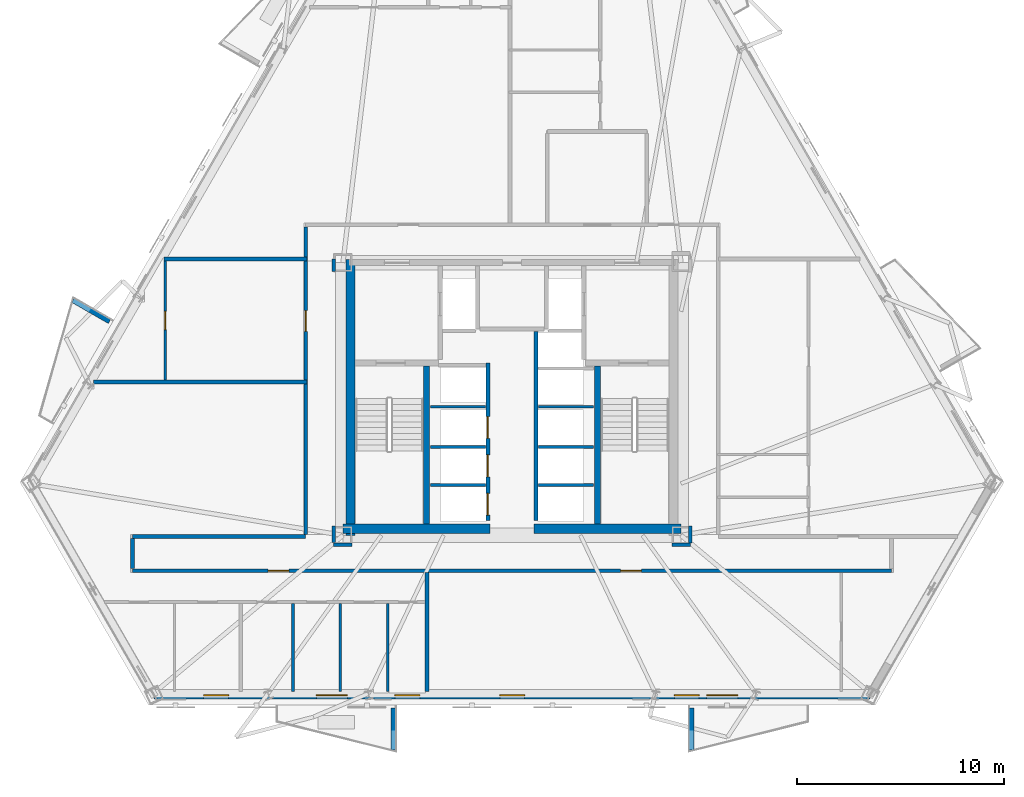
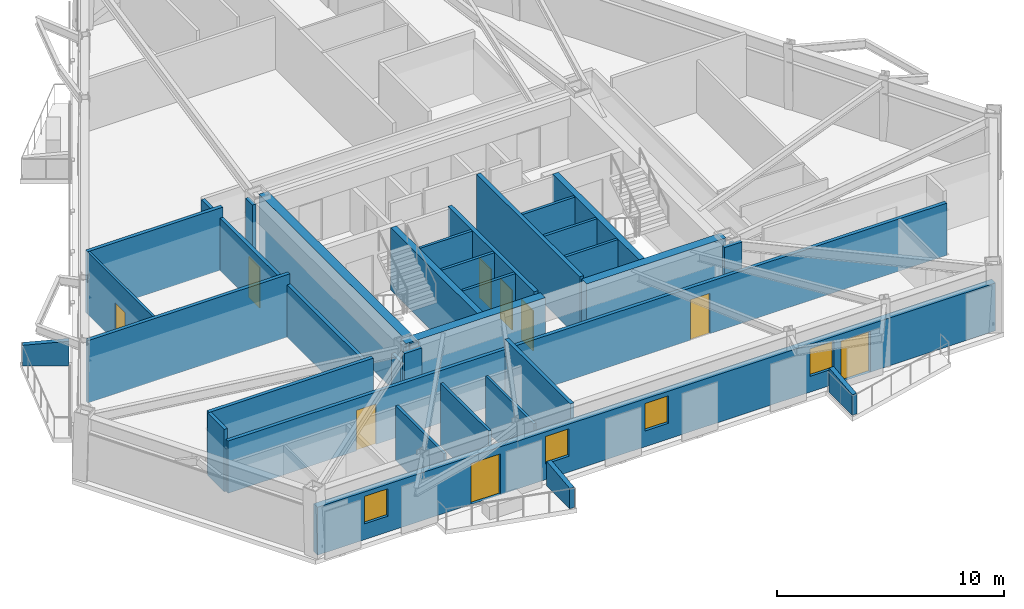
# One storey, part 3 of 10: 33 walls, 9 doors, 4 windows, 13 openings.
"""IFC4 building model written with IfcOpenShell, lengths in metres."""

import ifcopenshell
import ifcopenshell.guid

model = None  # the IFC model being written
_history = None  # IfcOwnerHistory: only IFC2X3 demands one
_inside = {}  # id of a spatial element -> (the spatial element, [elements in it])
_under = {}  # id of a project, library or spatial element -> (it, [spatial elements below it])
_declared = {}  # id of a project -> (the project, [libraries it declares])
_typed = {}  # id of a type object -> (the type object, [elements of that type])
_made_of = {}  # id of a material, layer set ... -> (it, [elements and type objects made of it])


def new_model(schema):
    """Start an empty IFC model of exactly this schema.

    Asked for "IFC4X3", IfcOpenShell would pick the latest addendum, in which some entities
    have other attributes; the version numbers below select the first issue.
    IFC2X3 requires an IfcOwnerHistory on every rooted entity: one is made here for all.
    """
    global model, _history
    if schema == "IFC4X3":
        model = ifcopenshell.file(schema_version=(4, 3, 0, 0))
    else:
        model = ifcopenshell.file(schema=schema)
    _inside.clear()
    _under.clear()
    _declared.clear()
    _typed.clear()
    _made_of.clear()
    _history = None
    if model.schema == "IFC2X3":
        org = make("IfcOrganization", Name="unknown")
        user = make(
            "IfcPersonAndOrganization",
            ThePerson=make("IfcPerson", FamilyName="unknown"),
            TheOrganization=org,
        )
        app = make(
            "IfcApplication",
            ApplicationDeveloper=org,
            Version="unknown",
            ApplicationFullName="unknown",
            ApplicationIdentifier="unknown",
        )
        _history = make(
            "IfcOwnerHistory",
            OwningUser=user,
            OwningApplication=app,
            ChangeAction="ADDED",
            CreationDate=0,
        )
    return model


def make(cls, **values):
    """One entity of the class cls with the attributes given. An attribute that is None is left unset."""
    return model.create_entity(
        cls, **{name: value for name, value in values.items() if value is not None}
    )


def rooted(cls, **values):
    """An entity with a GlobalId (a new one), such as an element, a storey or a relation."""
    return make(cls, GlobalId=ifcopenshell.guid.new(), OwnerHistory=_history, **values)


def si_unit(unit_type, name, prefix=None):
    """IfcSIUnit, for example si_unit("LENGTHUNIT", "METRE", prefix="MILLI")."""
    return make("IfcSIUnit", UnitType=unit_type, Prefix=prefix, Name=name)


def assignment(units):
    """IfcUnitAssignment: the units of a project."""
    return None if units is None else make("IfcUnitAssignment", Units=units)


def point(xyz):
    """IfcCartesianPoint."""
    return None if xyz is None else make("IfcCartesianPoint", Coordinates=xyz)


def direction(xyz):
    """IfcDirection."""
    return None if xyz is None else make("IfcDirection", DirectionRatios=xyz)


def frame(location, z_axis=None, x_axis=None):
    """IfcAxis2Placement3D, a coordinate frame: its origin and axes. An axis left out is left unset."""
    return make(
        "IfcAxis2Placement3D",
        Location=point(location),
        Axis=direction(z_axis),
        RefDirection=direction(x_axis),
    )


def frame_2d(location, x_axis=None):
    """IfcAxis2Placement2D, a coordinate frame in the plane: its origin and x axis."""
    return make(
        "IfcAxis2Placement2D", Location=point(location), RefDirection=direction(x_axis)
    )


def origin():
    """The frame at (0, 0, 0) with its axes left unset."""
    return frame((0.0, 0.0, 0.0))


def place(relative_to, where):
    """IfcLocalPlacement: puts the frame where relative to a parent placement (None: the world)."""
    return make(
        "IfcLocalPlacement", PlacementRelTo=relative_to, RelativePlacement=where
    )


def context(
    kind, dimensions, precision=None, world=None, true_north=None, identifier=None
):
    """IfcGeometricRepresentationContext, for example the 3D "Model" context."""
    return make(
        "IfcGeometricRepresentationContext",
        ContextIdentifier=identifier,
        ContextType=kind,
        CoordinateSpaceDimension=dimensions,
        Precision=precision,
        WorldCoordinateSystem=world,
        TrueNorth=true_north,
    )


def subcontext(parent, identifier, kind, view, scale=None):
    """IfcGeometricRepresentationSubContext, for example "Body" below "Model"."""
    return make(
        "IfcGeometricRepresentationSubContext",
        ContextIdentifier=identifier,
        ContextType=kind,
        ParentContext=parent,
        TargetScale=scale,
        TargetView=view,
    )


def project(units=None, contexts=None):
    """IfcProject with its units and contexts."""
    return rooted(
        "IfcProject",
        Name="project",
        RepresentationContexts=contexts,
        UnitsInContext=assignment(units),
    )


def spatial(cls, under=None, at=None, **own):
    """A site, building, storey or space (cls), placed at a placement, below another one or the project."""
    s = rooted(cls, ObjectPlacement=at, **own)
    if under is not None:
        _under.setdefault(under.id(), (under, []))[1].append(s)
    return s


def polyline(points):
    """IfcPolyline through the points."""
    return make("IfcPolyline", Points=[point(p) for p in points])


def profile(cls, at=None, kind="AREA", **sizes):
    """A parametric profile (cls). Its sizes go by their IFC names, for example OverallWidth=200.0."""
    return make(cls, ProfileType=kind, Position=at, **sizes)


def rectangle(**sizes):
    """IfcRectangleProfileDef."""
    return profile("IfcRectangleProfileDef", **sizes)


def outline(outer, holes=None, kind="AREA"):
    """IfcArbitraryClosedProfileDef: a profile drawn as a closed curve; with holes, ...WithVoids."""
    if holes is None:
        return make("IfcArbitraryClosedProfileDef", ProfileType=kind, OuterCurve=outer)
    return make(
        "IfcArbitraryProfileDefWithVoids",
        ProfileType=kind,
        OuterCurve=outer,
        InnerCurves=holes,
    )


def extrude(swept, where, along, depth):
    """IfcExtrudedAreaSolid: the profile swept, set in the frame where, extruded along a direction by depth."""
    return make(
        "IfcExtrudedAreaSolid",
        SweptArea=swept,
        Position=where,
        ExtrudedDirection=direction(along),
        Depth=depth,
    )


def shape(context_of_items, identifier, shape_type, items):
    """IfcShapeRepresentation: the items that make up one representation, for example the "Body"."""
    return make(
        "IfcShapeRepresentation",
        ContextOfItems=context_of_items,
        RepresentationIdentifier=identifier,
        RepresentationType=shape_type,
        Items=items,
    )


def material(Name=None, Category=None):
    """IfcMaterial."""
    return make("IfcMaterial", Name=Name, Category=Category)


def layer(
    of_material, thickness, ventilated=None, Name=None, Category=None, Priority=None
):
    """IfcMaterialLayer: one layer of a wall or slab, of a material (None: an air gap)."""
    return make(
        "IfcMaterialLayer",
        Material=of_material,
        LayerThickness=thickness,
        IsVentilated=ventilated,
        Name=Name,
        Category=Category,
        Priority=Priority,
    )


def layer_set(layers, Name=None):
    """IfcMaterialLayerSet."""
    return make("IfcMaterialLayerSet", MaterialLayers=layers, LayerSetName=Name)


def made_of(thing, what):
    """Note that an element or type object is made of a material, layer set ...; save() writes the relation."""
    if what is not None:
        _made_of.setdefault(what.id(), (what, []))[1].append(thing)
    return thing


def type_object(cls, material=None, **own):
    """A type object (cls), such as IfcWallType, which elements share."""
    return made_of(rooted(cls, **own), material)


def element(
    cls,
    number,
    at=None,
    inside=None,
    cuts=None,
    type_object=None,
    material=None,
    context=None,
    identifier="Body",
    shape_type=None,
    held_by="IfcProductDefinitionShape",
    body=None,
    shapes=None,
    **own,
):
    """One element of the class cls, such as IfcWall. Its Tag is "e" and its number.

    at: its placement. inside: the storey or other place that contains it. cuts: it is an
    opening in that element (IfcRelVoidsElement). A single representation is given by context,
    identifier, shape_type and body (its items); several are given by shapes. held_by: the class
    of the entity that holds the representations. save() writes the other relations.
    """
    e = rooted(cls, Tag="e%d" % number, ObjectPlacement=at, **own)
    if body is not None:
        shapes = [shape(context, identifier, shape_type, body)]
    if shapes is not None:
        e.Representation = make(held_by, Representations=shapes)
    if inside is not None:
        _inside.setdefault(inside.id(), (inside, []))[1].append(e)
    if cuts is not None:
        rooted(
            "IfcRelVoidsElement", RelatingBuildingElement=cuts, RelatedOpeningElement=e
        )
    if type_object is not None:
        _typed.setdefault(type_object.id(), (type_object, []))[1].append(e)
    return made_of(e, material)


def fill(opening, filler):
    """IfcRelFillsElement: the door or window that sits in an opening."""
    return rooted(
        "IfcRelFillsElement",
        RelatingOpeningElement=opening,
        RelatedBuildingElement=filler,
    )


def aggregate(whole, parts):
    """IfcRelAggregates: a whole, such as a stair, and the parts it consists of."""
    return rooted("IfcRelAggregates", RelatingObject=whole, RelatedObjects=parts)


def save(model, path):
    """Write the relations noted so far, then the file.

    IfcRelAggregates (storeys below a building ...), IfcRelContainedInSpatialStructure (elements
    in a storey), IfcRelDefinesByType, IfcRelAssociatesMaterial and IfcRelDeclares: one each for
    every whole, place, type object, material and project.
    """
    for whole, parts in _under.values():
        aggregate(whole, parts)
    for where, things in _inside.values():
        rooted(
            "IfcRelContainedInSpatialStructure",
            RelatedElements=things,
            RelatingStructure=where,
        )
    for kind, things in _typed.values():
        rooted("IfcRelDefinesByType", RelatedObjects=things, RelatingType=kind)
    for what, things in _made_of.values():
        rooted("IfcRelAssociatesMaterial", RelatedObjects=things, RelatingMaterial=what)
    for by, libraries in _declared.values():
        rooted("IfcRelDeclares", RelatingContext=by, RelatedDefinitions=libraries)
    model.write(path)


model = new_model("IFC4")

# Units and contexts
model_context = context("Model", 3, precision=1e-05, world=origin(), true_north=direction((0.0, 1.0)))
body_context = subcontext(model_context, "Body", "Model", "MODEL_VIEW")
ifc_project = project(units=[si_unit("LENGTHUNIT", "METRE"), si_unit("AREAUNIT", "SQUARE_METRE"), si_unit("VOLUMEUNIT", "CUBIC_METRE"), si_unit("PLANEANGLEUNIT", "RADIAN"), si_unit("MASSUNIT", "GRAM", prefix="KILO")], contexts=[model_context])

# Site, building, storey
site_placement = place(None, origin())
site = spatial("IfcSite", under=ifc_project, at=site_placement, CompositionType="ELEMENT")
building_placement = place(site_placement, origin())
building = spatial("IfcBuilding", under=site, at=building_placement, Name="Oramaril Tower", CompositionType="ELEMENT")
storey_placement = place(building_placement, frame((0.0, 0.0, 100.5)))
storey = spatial("IfcBuildingStorey", under=building, at=storey_placement, Name="L26", CompositionType="ELEMENT", Elevation=100.5)

# Wall, openings, doors, windows
ifc_material_1 = material(Name="Warm Cream Limestone", Category="masonry")
ifc_layer_1 = layer(ifc_material_1, 0.340087890625)
ifc_layer_set_1 = layer_set([ifc_layer_1], Name="WT-EXT34")
wall_type_1 = type_object("IfcWallType", Name="WT-EXT34", PredefinedType="SOLIDWALL", material=ifc_layer_set_1)
wall_1_placement = place(storey_placement, frame((20.24169921875, 3.286376953125, 0.0), z_axis=(0.0, 0.0, 1.0), x_axis=(1.0, 0.0, 0.0)))
wall_1 = element("IfcWall", 1, at=wall_1_placement, inside=storey, type_object=wall_type_1, Name="L26 Tower Limestone Facade Wall 2M", PredefinedType="SOLIDWALL", context=body_context, shape_type="SweptSolid", body=[
    extrude(rectangle(XDim=34.5166015625, YDim=0.340087890625, at=frame_2d((17.25830078125, 0.0))), origin(), (0.0, 0.0, 1.0), 2.577880859375),
])
opening_1_placement = place(wall_1_placement, frame((7.824462890625, 0.0, 0.0)))
opening_1 = element("IfcOpeningElement", 2, at=opening_1_placement, cuts=wall_1, Name="Opening D-L26-BAL-S1", PredefinedType="OPENING", context=body_context, shape_type="SweptSolid", body=[
    extrude(rectangle(XDim=1.5, YDim=2.199951171875, at=frame_2d((0.75, 1.10009765625))), frame((0.0, 0.169921875, 0.0), z_axis=(0.0, -1.0, 0.0), x_axis=(1.0, 0.0, 0.0)), (0.0, 0.0, 1.0), 0.340087890625),
])
opening_2_placement = place(wall_1_placement, frame((26.647216796875, 0.0, 0.0)))
opening_2 = element("IfcOpeningElement", 3, at=opening_2_placement, cuts=wall_1, Name="Opening D-L26-BAL-S2", PredefinedType="OPENING", context=body_context, shape_type="SweptSolid", body=[
    extrude(rectangle(XDim=1.5, YDim=2.199951171875, at=frame_2d((0.75, 1.10009765625))), frame((0.0, 0.169921875, 0.0), z_axis=(0.0, -1.0, 0.0), x_axis=(1.0, 0.0, 0.0)), (0.0, 0.0, 1.0), 0.340087890625),
])
opening_3_placement = place(wall_1_placement, frame((16.67138671875, 0.0, 0.85009765625)))
opening_3 = element("IfcOpeningElement", 4, at=opening_3_placement, cuts=wall_1, Name="Opening WN-09", PredefinedType="OPENING", context=body_context, shape_type="SweptSolid", body=[
    extrude(rectangle(XDim=1.199951171875, YDim=1.47998046875, at=frame_2d((0.60009765625, 0.739990234375))), frame((0.0, 0.169921875, 0.0), z_axis=(0.0, -1.0, 0.0), x_axis=(1.0, 0.0, 0.0)), (0.0, 0.0, 1.0), 0.340087890625),
])
opening_4_placement = place(wall_1_placement, frame((25.08251953125, 0.0, 0.85009765625)))
opening_4 = element("IfcOpeningElement", 5, at=opening_4_placement, cuts=wall_1, Name="Opening WN-09", PredefinedType="OPENING", context=body_context, shape_type="SweptSolid", body=[
    extrude(rectangle(XDim=1.199951171875, YDim=1.47998046875, at=frame_2d((0.60009765625, 0.739990234375))), frame((0.0, 0.169921875, 0.0), z_axis=(0.0, -1.0, 0.0), x_axis=(1.0, 0.0, 0.0)), (0.0, 0.0, 1.0), 0.340087890625),
])
opening_5_placement = place(wall_1_placement, frame((2.39013671875, 0.0, 0.85009765625)))
opening_5 = element("IfcOpeningElement", 6, at=opening_5_placement, cuts=wall_1, Name="Opening WN-09", PredefinedType="OPENING", context=body_context, shape_type="SweptSolid", body=[
    extrude(rectangle(XDim=1.199951171875, YDim=1.47998046875, at=frame_2d((0.60009765625, 0.739990234375))), frame((0.0, 0.169921875, 0.0), z_axis=(0.0, -1.0, 0.0), x_axis=(1.0, 0.0, 0.0)), (0.0, 0.0, 1.0), 0.340087890625),
])
opening_6_placement = place(wall_1_placement, frame((11.61328125, 0.0, 0.85009765625)))
opening_6 = element("IfcOpeningElement", 7, at=opening_6_placement, cuts=wall_1, Name="Opening WN-09", PredefinedType="OPENING", context=body_context, shape_type="SweptSolid", body=[
    extrude(rectangle(XDim=1.199951171875, YDim=1.47998046875, at=frame_2d((0.60009765625, 0.739990234375))), frame((0.0, 0.169921875, 0.0), z_axis=(0.0, -1.0, 0.0), x_axis=(1.0, 0.0, 0.0)), (0.0, 0.0, 1.0), 0.340087890625),
])
ifc_material_2 = material(Name="Anodised Aluminium 6063-T6", Category="aluminium")
door_type_1 = type_object("IfcDoorType", Name="DT-BAL", OperationType="NOTDEFINED", PredefinedType="DOOR", material=ifc_material_2)
door_1_placement = place(opening_1_placement, origin())
door_1 = element("IfcDoor", 8, at=door_1_placement, inside=storey, type_object=door_type_1, Name="L26 Balcony Glazed Door L26-BAL-S1", OperationType="SINGLE_SWING_LEFT", OverallHeight=2.199951171875, OverallWidth=1.5, PredefinedType="DOOR", context=body_context, shape_type="SweptSolid", body=[
    extrude(rectangle(XDim=1.5, YDim=2.199951171875, at=frame_2d((0.75, 1.10009765625))), frame((0.0, 0.02490234375, 0.0), z_axis=(0.0, -1.0, 0.0), x_axis=(1.0, 0.0, 0.0)), (0.0, 0.0, 1.0), 0.050048828125),
])
fill(opening_1, door_1)
door_2_placement = place(opening_2_placement, origin())
door_2 = element("IfcDoor", 9, at=door_2_placement, inside=storey, type_object=door_type_1, Name="L26 Balcony Glazed Door L26-BAL-S2", OperationType="SINGLE_SWING_RIGHT", OverallHeight=2.199951171875, OverallWidth=1.5, PredefinedType="DOOR", context=body_context, shape_type="SweptSolid", body=[
    extrude(rectangle(XDim=1.5, YDim=2.199951171875, at=frame_2d((0.75, 1.10009765625))), frame((0.0, 0.02490234375, 0.0), z_axis=(0.0, -1.0, 0.0), x_axis=(1.0, 0.0, 0.0)), (0.0, 0.0, 1.0), 0.050048828125),
])
fill(opening_2, door_2)
ifc_material_3 = material(Name="Coastal Low-E Insulated Glass", Category="glass")
window_type = type_object("IfcWindowType", Name="WNT-09", PartitioningType="SINGLE_PANEL", PredefinedType="WINDOW", material=ifc_material_3)
window_1_placement = place(opening_3_placement, origin())
window_1 = element("IfcWindow", 10, at=window_1_placement, inside=storey, type_object=window_type, Name="L26 Chicago Bay Window WN-09", OverallHeight=1.47998046875, OverallWidth=1.199951171875, PartitioningType="SINGLE_PANEL", PredefinedType="WINDOW", context=body_context, shape_type="SweptSolid", body=[
    extrude(rectangle(XDim=1.199951171875, YDim=1.47998046875, at=frame_2d((0.60009765625, 0.739990234375))), frame((0.0, 0.030029296875, 0.0), z_axis=(0.0, -1.0, 0.0), x_axis=(1.0, 0.0, 0.0)), (0.0, 0.0, 1.0), 0.06005859375),
])
fill(opening_3, window_1)
window_2_placement = place(opening_4_placement, origin())
window_2 = element("IfcWindow", 11, at=window_2_placement, inside=storey, type_object=window_type, Name="L26 Chicago Bay Window WN-09", OverallHeight=1.47998046875, OverallWidth=1.199951171875, PartitioningType="SINGLE_PANEL", PredefinedType="WINDOW", context=body_context, shape_type="SweptSolid", body=[
    extrude(rectangle(XDim=1.199951171875, YDim=1.47998046875, at=frame_2d((0.60009765625, 0.739990234375))), frame((0.0, 0.030029296875, 0.0), z_axis=(0.0, -1.0, 0.0), x_axis=(1.0, 0.0, 0.0)), (0.0, 0.0, 1.0), 0.06005859375),
])
fill(opening_4, window_2)
window_3_placement = place(opening_5_placement, origin())
window_3 = element("IfcWindow", 12, at=window_3_placement, inside=storey, type_object=window_type, Name="L26 Chicago Bay Window WN-09", OverallHeight=1.47998046875, OverallWidth=1.199951171875, PartitioningType="SINGLE_PANEL", PredefinedType="WINDOW", context=body_context, shape_type="SweptSolid", body=[
    extrude(rectangle(XDim=1.199951171875, YDim=1.47998046875, at=frame_2d((0.60009765625, 0.739990234375))), frame((0.0, 0.030029296875, 0.0), z_axis=(0.0, -1.0, 0.0), x_axis=(1.0, 0.0, 0.0)), (0.0, 0.0, 1.0), 0.06005859375),
])
fill(opening_5, window_3)
window_4_placement = place(opening_6_placement, origin())
window_4 = element("IfcWindow", 13, at=window_4_placement, inside=storey, type_object=window_type, Name="L26 Chicago Bay Window WN-09", OverallHeight=1.47998046875, OverallWidth=1.199951171875, PartitioningType="SINGLE_PANEL", PredefinedType="WINDOW", context=body_context, shape_type="SweptSolid", body=[
    extrude(rectangle(XDim=1.199951171875, YDim=1.47998046875, at=frame_2d((0.60009765625, 0.739990234375))), frame((0.0, 0.030029296875, 0.0), z_axis=(0.0, -1.0, 0.0), x_axis=(1.0, 0.0, 0.0)), (0.0, 0.0, 1.0), 0.06005859375),
])
fill(opening_6, window_4)

# Walls
ifc_material_4 = material(Name="Concrete C40/50", Category="concrete")
ifc_layer_2 = layer(ifc_material_4, 0.22998046875)
ifc_layer_set_2 = layer_set([ifc_layer_2], Name="WT-PRP23")
wall_type_2 = type_object("IfcWallType", Name="WT-PRP23", PredefinedType="PARAPET", material=ifc_layer_set_2)
for number, where, z_axis, x_axis, name in (
    (14, (31.77099609375, 2.688232421875, 0.0), (0.0, 0.0, 1.0), (0.0, -1.0, 0.0), "L26 Trapezoidal Balcony Frame Cheek L26-BAL-S1-R"),
    (15, (46.15380859375, 2.688232421875, 0.0), (0.0, 0.0, 1.0), (0.0, -1.0, 0.0), "L26 Trapezoidal Balcony Frame Cheek L26-BAL-S2-L"),
    (16, (18.093994140625, 21.311279296875, 0.0), (0.0, 0.0, 1.0), (-0.866012356593, 0.500022597718, 0.0), "L26 Trapezoidal Balcony Frame Cheek L26-BAL-NW2-L"),
):
    element("IfcWall", number, at=place(storey_placement, frame(where, z_axis=z_axis, x_axis=x_axis)), inside=storey, type_object=wall_type_2, Name=name, PredefinedType="PARAPET", context=body_context, shape_type="SweptSolid", body=[
        extrude(outline(polyline([(0.0, 0.0), (2.0419921875, 0.0), (2.0419921875, 1.10009765625), (0.0, 1.320068359375), (0.0, 0.0)])), frame((0.0, 0.114990234375, 0.0), z_axis=(0.0, -1.0, 0.0), x_axis=(1.0, 0.0, 0.0)), (0.0, 0.0, 1.0), 0.22998046875),
    ])

# Wall, opening, door
ifc_material_5 = material(Name="Acoustic Gypsum Board Partition")
ifc_layer_3 = layer(ifc_material_5, 0.1201171875)
ifc_layer_set_3 = layer_set([ifc_layer_3], Name="WT-PT12")
wall_type_3 = type_object("IfcWallType", Name="WT-PT12", PredefinedType="PARTITIONING", material=ifc_layer_set_3)
wall_2_placement = place(storey_placement, frame((20.780029296875, 18.493896484375, 0.0), z_axis=(0.0, 0.0, 1.0), x_axis=(0.0, 1.0, 0.0)))
wall_2 = element("IfcWall", 17, at=wall_2_placement, inside=storey, type_object=wall_type_3, Name="L26 Interior Partition PT-12", PredefinedType="PARTITIONING", context=body_context, shape_type="SweptSolid", body=[
    extrude(rectangle(XDim=5.732177734375, YDim=0.1201171875, at=frame_2d((2.8662109375, 0.0))), origin(), (0.0, 0.0, 1.0), 3.360107421875),
])
opening_7_placement = place(wall_2_placement, frame((2.426025390625, 0.0, 0.0)))
opening_7 = element("IfcOpeningElement", 18, at=opening_7_placement, cuts=wall_2, Name="Opening D-L26-16", PredefinedType="OPENING", context=body_context, shape_type="SweptSolid", body=[
    extrude(rectangle(XDim=0.8798828125, YDim=2.080078125, at=frame_2d((0.43994140625, 1.0400390625))), frame((0.0, 0.06005859375, 0.0), z_axis=(0.0, -1.0, 0.0), x_axis=(1.0, 0.0, 0.0)), (0.0, 0.0, 1.0), 0.1201171875),
])
ifc_material_6 = material(Name="FSC Brazilian Freijo Hardwood", Category="wood")
door_type_2 = type_object("IfcDoorType", Name="DT-BATH", OperationType="NOTDEFINED", PredefinedType="DOOR", material=ifc_material_6)
door_3_placement = place(opening_7_placement, origin())
door_3 = element("IfcDoor", 19, at=door_3_placement, inside=storey, type_object=door_type_2, Name="L26 Flat L26-U3 Bathroom Door D-L26-16", OperationType="SINGLE_SWING_RIGHT", OverallHeight=2.080078125, OverallWidth=0.8798828125, PredefinedType="DOOR", context=body_context, shape_type="SweptSolid", body=[
    extrude(rectangle(XDim=0.8798828125, YDim=2.080078125, at=frame_2d((0.43994140625, 1.0400390625))), frame((0.0, 0.02490234375, 0.0), z_axis=(0.0, -1.0, 0.0), x_axis=(1.0, 0.0, 0.0)), (0.0, 0.0, 1.0), 0.050048828125),
])
fill(opening_7, door_3)

# Walls
wall_3_placement = place(storey_placement, frame((31.510009765625, 3.460205078125, 0.0), z_axis=(0.0, 0.0, 1.0), x_axis=(0.0, 1.0, 0.0)))
element("IfcWall", 20, at=wall_3_placement, inside=storey, type_object=wall_type_3, Name="L26 Interior Partition PT-12", PredefinedType="PARTITIONING", context=body_context, shape_type="SweptSolid", body=[
    extrude(rectangle(XDim=4.245849609375, YDim=0.1201171875, at=frame_2d((2.123046875, 0.0))), origin(), (0.0, 0.0, 1.0), 2.946044921875),
])
ifc_material_7 = material(Name="Acoustic Gypsum Board Partition")
ifc_layer_4 = layer(ifc_material_7, 0.139892578125)
ifc_layer_set_4 = layer_set([ifc_layer_4], Name="WT-PT14")
wall_type_4 = type_object("IfcWallType", Name="WT-PT14", PredefinedType="PARTITIONING", material=ifc_layer_set_4)
for number, where, z_axis, x_axis, name in (
    (21, (33.56005859375, 13.419921875, 0.0), (0.0, 0.0, 1.0), (1.0, 0.0, 0.0), "L26 West Lift Divider"),
    (22, (33.56005859375, 15.27001953125, 0.0), (0.0, 0.0, 1.0), (1.0, 0.0, 0.0), "L26 West Lift Divider"),
    (23, (33.56005859375, 17.199951171875, 0.0), (0.0, 0.0, 1.0), (1.0, 0.0, 0.0), "L26 West Lift Divider"),
    (24, (38.780029296875, 13.419921875, 0.0), (0.0, 0.0, 1.0), (1.0, 0.0, 0.0), "L26 East Lift Divider"),
    (25, (38.780029296875, 15.27001953125, 0.0), (0.0, 0.0, 1.0), (1.0, 0.0, 0.0), "L26 East Lift Divider"),
    (26, (38.780029296875, 17.199951171875, 0.0), (0.0, 0.0, 1.0), (1.0, 0.0, 0.0), "L26 East Lift Divider"),
):
    element("IfcWall", number, at=place(storey_placement, frame(where, z_axis=z_axis, x_axis=x_axis)), inside=storey, type_object=wall_type_4, Name=name, PredefinedType="PARTITIONING", context=body_context, shape_type="SweptSolid", body=[
        extrude(rectangle(XDim=2.659912109375, YDim=0.139892578125, at=frame_2d((1.330078125, 0.0))), origin(), (0.0, 0.0, 1.0), 3.360107421875),
    ])
wall_4_placement = place(storey_placement, frame((26.93994140625, 3.460205078125, 0.0), z_axis=(0.0, 0.0, 1.0), x_axis=(0.0, 1.0, 0.0)))
element("IfcWall", 27, at=wall_4_placement, inside=storey, type_object=wall_type_4, Name="L26 Interior Partition PT-14", PredefinedType="PARTITIONING", context=body_context, shape_type="SweptSolid", body=[
    extrude(rectangle(XDim=4.245849609375, YDim=0.139892578125, at=frame_2d((2.123046875, 0.0))), origin(), (0.0, 0.0, 1.0), 2.946044921875),
])
wall_5_placement = place(storey_placement, frame((29.219970703125, 3.460205078125, 0.0), z_axis=(0.0, 0.0, 1.0), x_axis=(0.0, 1.0, 0.0)))
element("IfcWall", 28, at=wall_5_placement, inside=storey, type_object=wall_type_4, Name="L26 Interior Partition PT-14", PredefinedType="PARTITIONING", context=body_context, shape_type="SweptSolid", body=[
    extrude(rectangle(XDim=4.245849609375, YDim=0.139892578125, at=frame_2d((2.123046875, 0.0))), origin(), (0.0, 0.0, 1.0), 3.360107421875),
])

# Wall, openings, doors
ifc_material_8 = material(Name="Autoclaved Cellular Concrete Block", Category="concrete")
ifc_layer_5 = layer(ifc_material_8, 0.179931640625)
ifc_layer_set_5 = layer_set([ifc_layer_5], Name="WT-PT18")
wall_type_5 = type_object("IfcWallType", Name="WT-PT18", PredefinedType="PARTITIONING", material=ifc_layer_set_5)
wall_6_placement = place(storey_placement, frame((19.199951171875, 9.300048828125, 0.0), z_axis=(0.0, 0.0, 1.0), x_axis=(1.0, 0.0, 0.0)))
wall_6 = element("IfcWall", 29, at=wall_6_placement, inside=storey, type_object=wall_type_5, Name="L26 Interior Partition PT-18", PredefinedType="PARTITIONING", context=body_context, shape_type="SweptSolid", body=[
    extrude(rectangle(XDim=36.60009765625, YDim=0.179931640625, at=frame_2d((18.300048828125, 0.0))), origin(), (0.0, 0.0, 1.0), 2.81396484375),
])
opening_8_placement = place(wall_6_placement, frame((6.54638671875, 0.0, 0.0)))
opening_8 = element("IfcOpeningElement", 30, at=opening_8_placement, cuts=wall_6, Name="Opening D-L26-07", PredefinedType="OPENING", context=body_context, shape_type="SweptSolid", body=[
    extrude(rectangle(XDim=1.0, YDim=2.179931640625, at=frame_2d((0.5, 1.08984375))), frame((0.0, 0.08984375, 0.0), z_axis=(0.0, -1.0, 0.0), x_axis=(1.0, 0.0, 0.0)), (0.0, 0.0, 1.0), 0.179931640625),
])
opening_9_placement = place(wall_6_placement, frame((23.538818359375, 0.0, 0.0)))
opening_9 = element("IfcOpeningElement", 31, at=opening_9_placement, cuts=wall_6, Name="Opening D-L26-08", PredefinedType="OPENING", context=body_context, shape_type="SweptSolid", body=[
    extrude(rectangle(XDim=1.0, YDim=2.179931640625, at=frame_2d((0.5, 1.08984375))), frame((0.0, 0.08984375, 0.0), z_axis=(0.0, -1.0, 0.0), x_axis=(1.0, 0.0, 0.0)), (0.0, 0.0, 1.0), 0.179931640625),
])
ifc_material_9 = material(Name="FSC Brazilian Freijo Hardwood", Category="wood")
door_type_3 = type_object("IfcDoorType", Name="DT-APT", OperationType="NOTDEFINED", PredefinedType="DOOR", material=ifc_material_9)
door_4_placement = place(opening_8_placement, origin())
door_4 = element("IfcDoor", 32, at=door_4_placement, inside=storey, type_object=door_type_3, Name="L26 Flat L26-U2 Penthouse 2-Bedroom Living and Dining Room Door D-L26-07", OperationType="SINGLE_SWING_LEFT", OverallHeight=2.179931640625, OverallWidth=1.0, PredefinedType="DOOR", context=body_context, shape_type="SweptSolid", body=[
    extrude(rectangle(XDim=1.0, YDim=2.179931640625, at=frame_2d((0.5, 1.08984375))), frame((0.0, 0.02490234375, 0.0), z_axis=(0.0, -1.0, 0.0), x_axis=(1.0, 0.0, 0.0)), (0.0, 0.0, 1.0), 0.050048828125),
])
fill(opening_8, door_4)
door_5_placement = place(opening_9_placement, origin())
door_5 = element("IfcDoor", 33, at=door_5_placement, inside=storey, type_object=door_type_3, Name="L26 Flat L26-U1 Kitchen and Studio Apartment Door D-L26-08", OperationType="SINGLE_SWING_RIGHT", OverallHeight=2.179931640625, OverallWidth=1.0, PredefinedType="DOOR", context=body_context, shape_type="SweptSolid", body=[
    extrude(rectangle(XDim=1.0, YDim=2.179931640625, at=frame_2d((0.5, 1.08984375))), frame((0.0, 0.02490234375, 0.0), z_axis=(0.0, -1.0, 0.0), x_axis=(1.0, 0.0, 0.0)), (0.0, 0.0, 1.0), 0.050048828125),
])
fill(opening_9, door_5)

# Walls
for number, where, z_axis, x_axis, name in (
    (34, (28.905029296875, 10.550048828125, 0.0), (0.0, 0.0, 1.0), (1.0, 0.0, 0.0), "L26 Interior Partition PT-18"),
    (35, (45.205078125, 10.550048828125, 0.0), (0.0, 0.0, 1.0), (1.0, 0.0, 0.0), "L26 Interior Partition PT-18"),
):
    element("IfcWall", number, at=place(storey_placement, frame(where, z_axis=z_axis, x_axis=x_axis)), inside=storey, type_object=wall_type_5, Name=name, PredefinedType="PARTITIONING", context=body_context, shape_type="SweptSolid", body=[
        extrude(rectangle(XDim=0.889892578125, YDim=0.179931640625, at=frame_2d((0.44482421875, 0.0))), origin(), (0.0, 0.0, 1.0), 3.360107421875),
    ])
wall_7_placement = place(storey_placement, frame((19.199951171875, 10.949951171875, 0.0), z_axis=(0.0, 0.0, 1.0), x_axis=(1.0, 0.0, 0.0)))
element("IfcWall", 36, at=wall_7_placement, inside=storey, type_object=wall_type_5, Name="L26 Interior Partition PT-18", PredefinedType="PARTITIONING", context=body_context, shape_type="SweptSolid", body=[
    extrude(rectangle(XDim=8.35009765625, YDim=0.179931640625, at=frame_2d((4.175048828125, 0.0))), origin(), (0.0, 0.0, 1.0), 3.360107421875),
])
wall_8_placement = place(storey_placement, frame((17.320068359375, 18.39990234375, 0.0), z_axis=(0.0, 0.0, 1.0), x_axis=(1.0, 0.0, 0.0)))
element("IfcWall", 37, at=wall_8_placement, inside=storey, type_object=wall_type_5, Name="L26 Interior Partition PT-18", PredefinedType="PARTITIONING", context=body_context, shape_type="SweptSolid", body=[
    extrude(rectangle(XDim=10.2900390625, YDim=0.179931640625, at=frame_2d((5.14501953125, 0.0))), origin(), (0.0, 0.0, 1.0), 3.360107421875),
])
wall_9_placement = place(storey_placement, frame((20.72265625, 24.320068359375, 0.0), z_axis=(0.0, 0.0, 1.0), x_axis=(1.0, 0.0, 0.0)))
element("IfcWall", 38, at=wall_9_placement, inside=storey, type_object=wall_type_5, Name="L26 Interior Partition PT-18", PredefinedType="PARTITIONING", context=body_context, shape_type="SweptSolid", body=[
    extrude(rectangle(XDim=6.887451171875, YDim=0.179931640625, at=frame_2d((3.44384765625, 0.0))), origin(), (0.0, 0.0, 1.0), 3.360107421875),
])
wall_10_placement = place(storey_placement, frame((19.199951171875, 9.39404296875, 0.0), z_axis=(0.0, 0.0, 1.0), x_axis=(0.0, 1.0, 0.0)))
element("IfcWall", 39, at=wall_10_placement, inside=storey, type_object=wall_type_5, Name="L26 Interior Partition PT-18", PredefinedType="PARTITIONING", context=body_context, shape_type="SweptSolid", body=[
    extrude(rectangle(XDim=1.4619140625, YDim=0.179931640625, at=frame_2d((0.73095703125, 0.0))), origin(), (0.0, 0.0, 1.0), 3.360107421875),
])

# Wall, opening, door
wall_11_placement = place(storey_placement, frame((27.550048828125, 11.0439453125, 0.0), z_axis=(0.0, 0.0, 1.0), x_axis=(0.0, 1.0, 0.0)))
wall_11 = element("IfcWall", 40, at=wall_11_placement, inside=storey, type_object=wall_type_5, Name="L26 Interior Partition PT-18", PredefinedType="PARTITIONING", context=body_context, shape_type="SweptSolid", body=[
    extrude(rectangle(XDim=14.83203125, YDim=0.179931640625, at=frame_2d((7.416015625, 0.0))), origin(), (0.0, 0.0, 1.0), 2.81396484375),
])
opening_10_placement = place(wall_11_placement, frame((9.794921875, 0.0, 0.0)))
opening_10 = element("IfcOpeningElement", 41, at=opening_10_placement, cuts=wall_11, Name="Opening D-L26-17", PredefinedType="OPENING", context=body_context, shape_type="SweptSolid", body=[
    extrude(rectangle(XDim=1.0, YDim=2.179931640625, at=frame_2d((0.5, 1.08984375))), frame((0.0, 0.08984375, 0.0), z_axis=(0.0, -1.0, 0.0), x_axis=(1.0, 0.0, 0.0)), (0.0, 0.0, 1.0), 0.179931640625),
])
door_6_placement = place(opening_10_placement, origin())
door_6 = element("IfcDoor", 42, at=door_6_placement, inside=storey, type_object=door_type_3, Name="L26 Flat L26-U3 Kitchen and Studio Apartment Door D-L26-17", OperationType="SINGLE_SWING_LEFT", OverallHeight=2.179931640625, OverallWidth=1.0, PredefinedType="DOOR", context=body_context, shape_type="SweptSolid", body=[
    extrude(rectangle(XDim=1.0, YDim=2.179931640625, at=frame_2d((0.5, 1.08984375))), frame((0.0, 0.02490234375, 0.0), z_axis=(0.0, -1.0, 0.0), x_axis=(1.0, 0.0, 0.0)), (0.0, 0.0, 1.0), 0.050048828125),
])
fill(opening_10, door_6)

# Walls
wall_12_placement = place(storey_placement, frame((28.909912109375, 10.64404296875, 0.0), z_axis=(0.0, 0.0, 1.0), x_axis=(0.0, 1.0, 0.0)))
element("IfcWall", 43, at=wall_12_placement, inside=storey, type_object=wall_type_5, Name="L26 Interior Partition PT-18", PredefinedType="PARTITIONING", context=body_context, shape_type="SweptSolid", body=[
    extrude(rectangle(XDim=0.7958984375, YDim=0.179931640625, at=frame_2d((0.39794921875, 0.0))), origin(), (0.0, 0.0, 1.0), 2.81396484375),
])
wall_13_placement = place(storey_placement, frame((28.909912109375, 23.7099609375, 0.0), z_axis=(0.0, 0.0, 1.0), x_axis=(0.0, 1.0, 0.0)))
element("IfcWall", 44, at=wall_13_placement, inside=storey, type_object=wall_type_5, Name="L26 Interior Partition PT-18", PredefinedType="PARTITIONING", context=body_context, shape_type="SweptSolid", body=[
    extrude(rectangle(XDim=0.610107421875, YDim=0.179931640625, at=frame_2d((0.30517578125, 0.0))), origin(), (0.0, 0.0, 1.0), 3.360107421875),
])
wall_14_placement = place(storey_placement, frame((33.39990234375, 3.460205078125, 0.0), z_axis=(0.0, 0.0, 1.0), x_axis=(0.0, 1.0, 0.0)))
element("IfcWall", 45, at=wall_14_placement, inside=storey, type_object=wall_type_5, Name="L26 Interior Partition PT-18", PredefinedType="PARTITIONING", context=body_context, shape_type="SweptSolid", body=[
    extrude(rectangle(XDim=5.745849609375, YDim=0.179931640625, at=frame_2d((2.873046875, 0.0))), origin(), (0.0, 0.0, 1.0), 3.360107421875),
])
wall_15_placement = place(storey_placement, frame((46.090087890625, 10.64404296875, 0.0), z_axis=(0.0, 0.0, 1.0), x_axis=(0.0, 1.0, 0.0)))
element("IfcWall", 46, at=wall_15_placement, inside=storey, type_object=wall_type_5, Name="L26 Interior Partition PT-18", PredefinedType="PARTITIONING", context=body_context, shape_type="SweptSolid", body=[
    extrude(rectangle(XDim=0.801025390625, YDim=0.179931640625, at=frame_2d((0.400390625, 0.0))), origin(), (0.0, 0.0, 1.0), 2.81396484375),
])
ifc_material_10 = material(Name="Concrete C50/60", Category="concrete")
ifc_layer_6 = layer(ifc_material_10, 0.300048828125)
ifc_layer_set_6 = layer_set([ifc_layer_6], Name="WT-SH30")
wall_type_6 = type_object("IfcWallType", Name="WT-SH30", PredefinedType="SHEAR", material=ifc_layer_set_6)
for number, where, z_axis, x_axis, name in (
    (47, (33.3798828125, 11.5400390625, 0.0), (0.0, 0.0, 1.0), (0.0, 1.0, 0.0), "L26 Core Shear Wall CW-ST1E"),
    (48, (41.6201171875, 11.5400390625, 0.0), (0.0, 0.0, 1.0), (0.0, 1.0, 0.0), "L26 Core Shear Wall CW-ST2W"),
):
    element("IfcWall", number, at=place(storey_placement, frame(where, z_axis=z_axis, x_axis=x_axis)), inside=storey, type_object=wall_type_6, Name=name, PredefinedType="SHEAR", context=body_context, shape_type="SweptSolid", body=[
        extrude(rectangle(XDim=7.619873046875, YDim=0.300048828125, at=frame_2d((3.81005859375, 0.0))), origin(), (0.0, 0.0, 1.0), 3.360107421875),
    ])
ifc_material_11 = material(Name="Concrete C50/60", Category="concrete")
ifc_layer_7 = layer(ifc_material_11, 0.449951171875)
ifc_layer_set_7 = layer_set([ifc_layer_7], Name="WT-SH45")
wall_type_7 = type_object("IfcWallType", Name="WT-SH45", PredefinedType="SHEAR", material=ifc_layer_set_7)
wall_16_placement = place(storey_placement, frame((29.715087890625, 11.0, 0.0), z_axis=(0.0, 0.0, 1.0), x_axis=(0.0, 1.0, 0.0)))
element("IfcWall", 49, at=wall_16_placement, inside=storey, type_object=wall_type_7, Name="L26 Core Shear Wall CW-W", PredefinedType="SHEAR", context=body_context, shape_type="SweptSolid", body=[
    extrude(rectangle(XDim=13.300048828125, YDim=0.449951171875, at=frame_2d((6.64990234375, 0.0))), origin(), (0.0, 0.0, 1.0), 3.360107421875),
])
for number, where, z_axis, x_axis, name in (
    (50, (29.35009765625, 11.31494140625, 0.0), (0.0, 0.0, 1.0), (1.0, 0.0, 0.0), "L26 Core Shear Wall CW-SW"),
    (51, (38.550048828125, 11.31494140625, 0.0), (0.0, 0.0, 1.0), (1.0, 0.0, 0.0), "L26 Core Shear Wall CW-SE"),
):
    element("IfcWall", number, at=place(storey_placement, frame(where, z_axis=z_axis, x_axis=x_axis)), inside=storey, type_object=wall_type_7, Name=name, PredefinedType="SHEAR", context=body_context, shape_type="SweptSolid", body=[
        extrude(rectangle(XDim=7.099853515625, YDim=0.449951171875, at=frame_2d((3.5498046875, 0.0))), origin(), (0.0, 0.0, 1.0), 3.360107421875),
    ])

# Wall, openings, doors
ifc_material_12 = material(Name="Autoclaved Cellular Concrete Block", Category="concrete")
ifc_layer_8 = layer(ifc_material_12, 0.199951171875)
ifc_layer_set_8 = layer_set([ifc_layer_8], Name="WT-SHF20")
wall_type_8 = type_object("IfcWallType", Name="WT-SHF20", PredefinedType="PARTITIONING", material=ifc_layer_set_8)
wall_17_placement = place(storey_placement, frame((36.340087890625, 11.719970703125, 0.0), z_axis=(0.0, 0.0, 1.0), x_axis=(0.0, 1.0, 0.0)))
wall_17 = element("IfcWall", 52, at=wall_17_placement, inside=storey, type_object=wall_type_8, Name="L26 West Lift Bank Front Wall", PredefinedType="PARTITIONING", context=body_context, shape_type="SweptSolid", body=[
    extrude(rectangle(XDim=7.60009765625, YDim=0.199951171875, at=frame_2d((3.800048828125, 0.0))), origin(), (0.0, 0.0, 1.0), 3.360107421875),
])
opening_11_placement = place(wall_17_placement, frame((0.2548828125, 0.0, 0.0)))
opening_11 = element("IfcOpeningElement", 53, at=opening_11_placement, cuts=wall_17, Name="Opening LD-L26-LP-L1", PredefinedType="OPENING", context=body_context, shape_type="SweptSolid", body=[
    extrude(rectangle(XDim=1.050048828125, YDim=2.14990234375, at=frame_2d((0.52490234375, 1.074951171875))), frame((0.0, 0.10009765625, 0.0), z_axis=(0.0, -1.0, 0.0), x_axis=(1.0, 0.0, 0.0)), (0.0, 0.0, 1.0), 0.199951171875),
])
opening_12_placement = place(wall_17_placement, frame((2.10498046875, 0.0, 0.0)))
opening_12 = element("IfcOpeningElement", 54, at=opening_12_placement, cuts=wall_17, Name="Opening LD-L26-LP-L2", PredefinedType="OPENING", context=body_context, shape_type="SweptSolid", body=[
    extrude(rectangle(XDim=1.050048828125, YDim=2.14990234375, at=frame_2d((0.52490234375, 1.074951171875))), frame((0.0, 0.10009765625, 0.0), z_axis=(0.0, -1.0, 0.0), x_axis=(1.0, 0.0, 0.0)), (0.0, 0.0, 1.0), 0.199951171875),
])
opening_13_placement = place(wall_17_placement, frame((3.955078125, 0.0, 0.0)))
opening_13 = element("IfcOpeningElement", 55, at=opening_13_placement, cuts=wall_17, Name="Opening LD-L26-LP-L3", PredefinedType="OPENING", context=body_context, shape_type="SweptSolid", body=[
    extrude(rectangle(XDim=1.050048828125, YDim=2.14990234375, at=frame_2d((0.52490234375, 1.074951171875))), frame((0.0, 0.10009765625, 0.0), z_axis=(0.0, -1.0, 0.0), x_axis=(1.0, 0.0, 0.0)), (0.0, 0.0, 1.0), 0.199951171875),
])
ifc_material_13 = material(Name="Stainless Steel 316L", Category="steel")
door_type_4 = type_object("IfcDoorType", Name="DT-LD2", OperationType="NOTDEFINED", PredefinedType="DOOR", material=ifc_material_13)
door_7_placement = place(opening_11_placement, origin())
door_7 = element("IfcDoor", 56, at=door_7_placement, inside=storey, type_object=door_type_4, Name="L26 Lift LP-L1 Sliding Landing Door", OperationType="SLIDING_TO_LEFT", OverallHeight=2.14990234375, OverallWidth=1.050048828125, PredefinedType="DOOR", context=body_context, shape_type="SweptSolid", body=[
    extrude(rectangle(XDim=1.050048828125, YDim=2.14990234375, at=frame_2d((0.52490234375, 1.074951171875))), frame((0.0, 0.02490234375, 0.0), z_axis=(0.0, -1.0, 0.0), x_axis=(1.0, 0.0, 0.0)), (0.0, 0.0, 1.0), 0.050048828125),
])
fill(opening_11, door_7)
door_8_placement = place(opening_12_placement, origin())
door_8 = element("IfcDoor", 57, at=door_8_placement, inside=storey, type_object=door_type_4, Name="L26 Lift LP-L2 Sliding Landing Door", OperationType="SLIDING_TO_RIGHT", OverallHeight=2.14990234375, OverallWidth=1.050048828125, PredefinedType="DOOR", context=body_context, shape_type="SweptSolid", body=[
    extrude(rectangle(XDim=1.050048828125, YDim=2.14990234375, at=frame_2d((0.52490234375, 1.074951171875))), frame((0.0, 0.02490234375, 0.0), z_axis=(0.0, -1.0, 0.0), x_axis=(1.0, 0.0, 0.0)), (0.0, 0.0, 1.0), 0.050048828125),
])
fill(opening_12, door_8)
door_9_placement = place(opening_13_placement, origin())
door_9 = element("IfcDoor", 58, at=door_9_placement, inside=storey, type_object=door_type_4, Name="L26 Lift LP-L3 Sliding Landing Door", OperationType="SLIDING_TO_LEFT", OverallHeight=2.14990234375, OverallWidth=1.050048828125, PredefinedType="DOOR", context=body_context, shape_type="SweptSolid", body=[
    extrude(rectangle(XDim=1.050048828125, YDim=2.14990234375, at=frame_2d((0.52490234375, 1.074951171875))), frame((0.0, 0.02490234375, 0.0), z_axis=(0.0, -1.0, 0.0), x_axis=(1.0, 0.0, 0.0)), (0.0, 0.0, 1.0), 0.050048828125),
])
fill(opening_13, door_9)

# Wall
wall_18_placement = place(storey_placement, frame((38.659912109375, 11.719970703125, 0.0), z_axis=(0.0, 0.0, 1.0), x_axis=(0.0, 1.0, 0.0)))
element("IfcWall", 59, at=wall_18_placement, inside=storey, type_object=wall_type_8, Name="L26 East Lift Bank Front Wall", PredefinedType="PARTITIONING", context=body_context, shape_type="SweptSolid", body=[
    extrude(rectangle(XDim=9.10009765625, YDim=0.199951171875, at=frame_2d((4.550048828125, 0.0))), origin(), (0.0, 0.0, 1.0), 3.360107421875),
])

save(model, "model.ifc")
